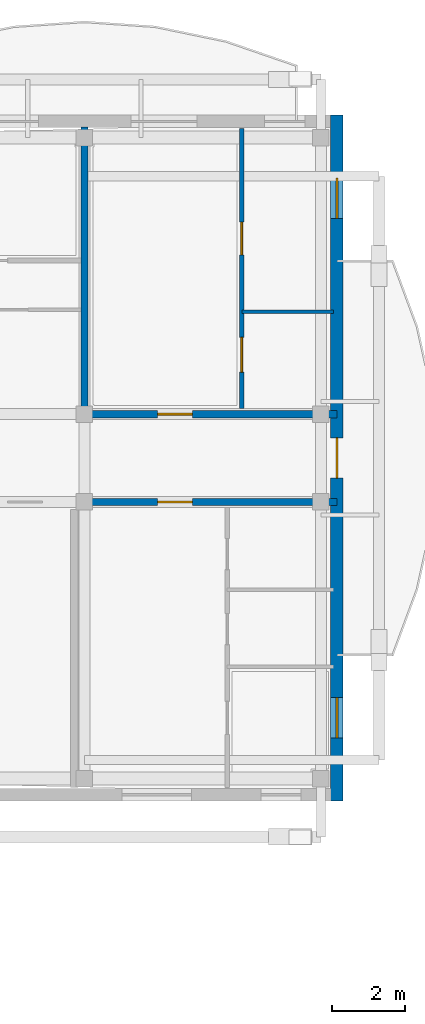
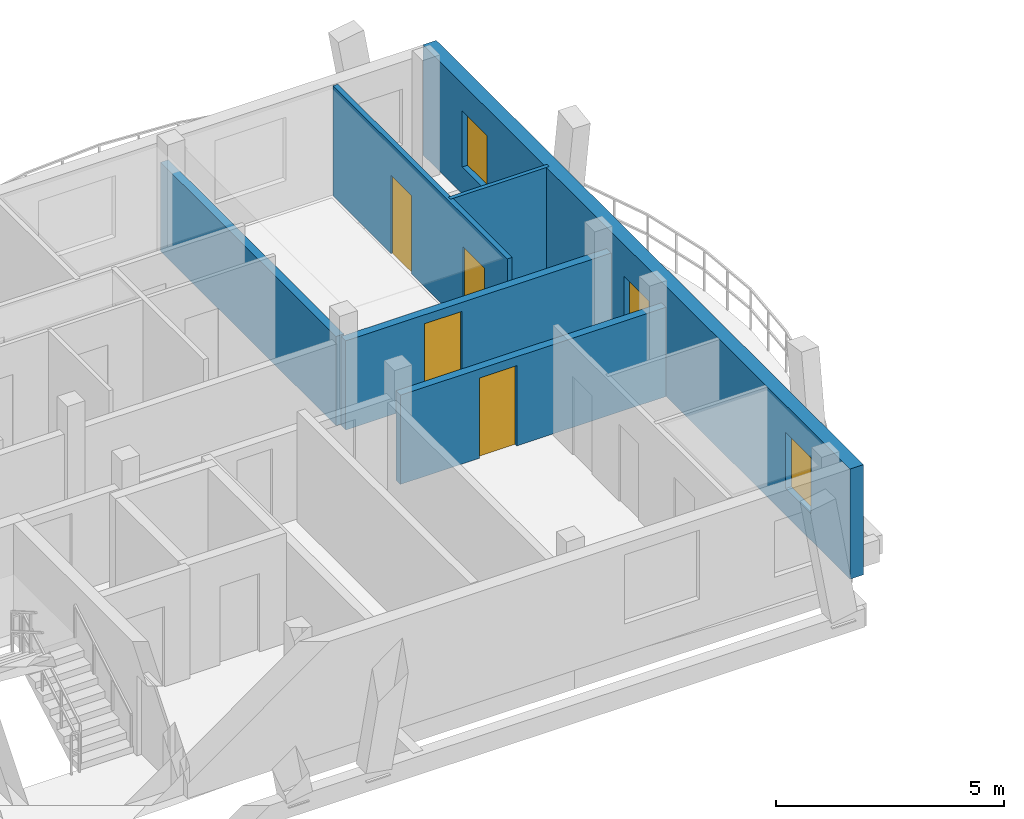
# One storey, part 33 of 44: 6 walls, 5 doors, 2 windows, 7 openings.
"""IFC4 building model written with IfcOpenShell, lengths in metres."""

from ifc_helpers import new_model, si_unit, direction, frame, frame_2d, origin, origin_with_axes, place, context, subcontext, project, spatial, rectangle, extrude, material, layer, layer_set, type_object, element, fill, save


model = new_model("IFC4")

# Units and contexts
model_context = context("Model", 3, precision=1e-05, world=origin(), true_north=direction((0.0, 1.0)))
body_context = subcontext(model_context, "Body", "Model", "MODEL_VIEW")
ifc_project = project(units=[si_unit("LENGTHUNIT", "METRE"), si_unit("AREAUNIT", "SQUARE_METRE"), si_unit("VOLUMEUNIT", "CUBIC_METRE"), si_unit("PLANEANGLEUNIT", "RADIAN"), si_unit("MASSUNIT", "GRAM", prefix="KILO")], contexts=[model_context])

# Site, building, storey
site_placement = place(None, origin())
site = spatial("IfcSite", under=ifc_project, at=site_placement, CompositionType="ELEMENT")
building_placement = place(site_placement, origin())
building = spatial("IfcBuilding", under=site, at=building_placement, Name="Zavelmont Quarter", CompositionType="ELEMENT")
storey_placement = place(building_placement, frame((0.0, 0.0, 20.800048828125)))
storey = spatial("IfcBuildingStorey", under=building, at=storey_placement, Name="L06", CompositionType="ELEMENT", Elevation=20.800048828125)

# Wall, openings, door, windows
ifc_material_1 = material(Name="Natural Belgian limestone", Category="masonry")
ifc_layer_1 = layer(ifc_material_1, 0.340087890625)
ifc_layer_set_1 = layer_set([ifc_layer_1], Name="Natural Belgian limestone")
wall_type_1 = type_object("IfcWallType", Name="EW03", PredefinedType="STANDARD", material=ifc_layer_set_1)
wall_1_placement = place(storey_placement, frame((168.0, 97.429931640625, 0.0), z_axis=(0.0, 0.0, 1.0), x_axis=(0.0, 1.0, 0.0)))
wall_1 = element("IfcWall", 1, at=wall_1_placement, inside=storey, type_object=wall_type_1, Name="L06 exterior limestone wall EW03", PredefinedType="STANDARD", context=body_context, shape_type="SweptSolid", body=[
    extrude(rectangle(XDim=18.739990234375, YDim=0.340087890625, at=frame_2d((9.3701171875, 0.0))), origin(), (0.0, 0.0, 1.0), 2.949951171875),
])
opening_1_placement = place(wall_1_placement, frame((8.820068359375, 0.0, 0.0)))
opening_1 = element("IfcOpeningElement", 2, at=opening_1_placement, cuts=wall_1, Name="Opening DR04B", PredefinedType="OPENING", context=body_context, shape_type="SweptSolid", body=[
    extrude(rectangle(XDim=1.10009765625, YDim=2.10009765625, at=frame_2d((0.550048828125, 1.050048828125))), frame((0.0, 0.18212890625, 0.0), z_axis=(0.0, -1.0, 0.0), x_axis=(1.0, 0.0, 0.0)), (0.0, 0.0, 1.0), 0.364013671875),
])
opening_2_placement = place(wall_1_placement, frame((1.719970703125, 0.0, 0.719970703125)))
opening_2 = element("IfcOpeningElement", 3, at=opening_2_placement, cuts=wall_1, Name="Opening WN09", PredefinedType="OPENING", context=body_context, shape_type="SweptSolid", body=[
    extrude(rectangle(XDim=1.10009765625, YDim=1.5, at=frame_2d((0.550048828125, 0.75))), frame((0.0, 0.18212890625, 0.0), z_axis=(0.0, -1.0, 0.0), x_axis=(1.0, 0.0, 0.0)), (0.0, 0.0, 1.0), 0.364013671875),
])
opening_3_placement = place(wall_1_placement, frame((15.919921875, 0.0, 0.719970703125)))
opening_3 = element("IfcOpeningElement", 4, at=opening_3_placement, cuts=wall_1, Name="Opening WN09", PredefinedType="OPENING", context=body_context, shape_type="SweptSolid", body=[
    extrude(rectangle(XDim=1.10009765625, YDim=1.5, at=frame_2d((0.550048828125, 0.75))), frame((0.0, 0.18212890625, 0.0), z_axis=(0.0, -1.0, 0.0), x_axis=(1.0, 0.0, 0.0)), (0.0, 0.0, 1.0), 0.364013671875),
])
ifc_material_2 = material(Name="Thermally broken aluminium and double safety glass", Category="aluminium")
door_type_1 = type_object("IfcDoorType", Name="DR04B", OperationType="NOTDEFINED", PredefinedType="DOOR", material=ifc_material_2)
door_1_placement = place(opening_1_placement, origin_with_axes())
door_1 = element("IfcDoor", 5, at=door_1_placement, inside=storey, type_object=door_type_1, Name="Block C L06 terrace or vase balcony door", OperationType="SINGLE_SWING_RIGHT", OverallHeight=2.10009765625, OverallWidth=1.10009765625, PredefinedType="DOOR", context=body_context, shape_type="SweptSolid", body=[
    extrude(rectangle(XDim=1.10009765625, YDim=2.10009765625, at=frame_2d((0.550048828125, 1.050048828125))), frame((0.0, 0.02490234375, 0.0), z_axis=(0.0, -1.0, 0.0), x_axis=(1.0, 0.0, 0.0)), (0.0, 0.0, 1.0), 0.050048828125),
])
fill(opening_1, door_1)
ifc_material_3 = material(Name="Double low-E insulated glazing in thermally broken aluminium frame", Category="aluminium")
window_type = type_object("IfcWindowType", Name="WN09", PartitioningType="SINGLE_PANEL", PredefinedType="WINDOW", material=ifc_material_3)
window_1_placement = place(opening_2_placement, origin_with_axes())
window_1 = element("IfcWindow", 6, at=window_1_placement, inside=storey, type_object=window_type, Name="L06 window WN09", OverallHeight=1.5, OverallWidth=1.10009765625, PartitioningType="SINGLE_PANEL", PredefinedType="WINDOW", context=body_context, shape_type="SweptSolid", body=[
    extrude(rectangle(XDim=1.10009765625, YDim=1.5, at=frame_2d((0.550048828125, 0.75))), frame((0.0, 0.030029296875, 0.0), z_axis=(0.0, -1.0, 0.0), x_axis=(1.0, 0.0, 0.0)), (0.0, 0.0, 1.0), 0.06005859375),
])
fill(opening_2, window_1)
window_2_placement = place(opening_3_placement, origin_with_axes())
window_2 = element("IfcWindow", 7, at=window_2_placement, inside=storey, type_object=window_type, Name="L06 window WN09", OverallHeight=1.5, OverallWidth=1.10009765625, PartitioningType="SINGLE_PANEL", PredefinedType="WINDOW", context=body_context, shape_type="SweptSolid", body=[
    extrude(rectangle(XDim=1.10009765625, YDim=1.5, at=frame_2d((0.550048828125, 0.75))), frame((0.0, 0.030029296875, 0.0), z_axis=(0.0, -1.0, 0.0), x_axis=(1.0, 0.0, 0.0)), (0.0, 0.0, 1.0), 0.06005859375),
])
fill(opening_3, window_2)

# Wall
ifc_material_4 = material(Name="Calcium-silicate blockwork and acoustic plaster", Category="masonry")
ifc_layer_2 = layer(ifc_material_4, 0.199951171875)
ifc_layer_set_2 = layer_set([ifc_layer_2], Name="Calcium-silicate blockwork and acoustic plaster")
wall_type_2 = type_object("IfcWallType", Name="IW01", PredefinedType="PARTITIONING", material=ifc_layer_set_2)
wall_2_placement = place(storey_placement, frame((161.10009765625, 108.14990234375, 0.0), z_axis=(0.0, 0.0, 1.0), x_axis=(0.0, 1.0, 0.0)))
element("IfcWall", 8, at=wall_2_placement, inside=storey, type_object=wall_type_2, Name="L06 Inter-dwelling compartment wall IW01", PredefinedType="PARTITIONING", context=body_context, shape_type="SweptSolid", body=[
    extrude(rectangle(XDim=7.7001953125, YDim=0.199951171875, at=frame_2d((3.85009765625, 0.0))), origin(), (0.0, 0.0, 1.0), 2.389892578125),
])

# Wall, opening, door
wall_3_placement = place(storey_placement, frame((161.10009765625, 108.0, 0.0), z_axis=(0.0, 0.0, 1.0), x_axis=(1.0, 0.0, 0.0)))
wall_3 = element("IfcWall", 9, at=wall_3_placement, inside=storey, type_object=wall_type_2, Name="L06 Corridor compartment wall IW01", PredefinedType="PARTITIONING", context=body_context, shape_type="SweptSolid", body=[
    extrude(rectangle(XDim=6.89990234375, YDim=0.199951171875, at=frame_2d((3.449951171875, 0.0))), origin(), (0.0, 0.0, 1.0), 2.389892578125),
])
opening_4_placement = place(wall_3_placement, frame((2.0, 0.0, 0.0)))
opening_4 = element("IfcOpeningElement", 10, at=opening_4_placement, cuts=wall_3, Name="Opening DR02", PredefinedType="OPENING", context=body_context, shape_type="SweptSolid", body=[
    extrude(rectangle(XDim=0.949951171875, YDim=2.14990234375, at=frame_2d((0.47509765625, 1.074951171875))), frame((0.0, 0.11181640625, 0.0), z_axis=(0.0, -1.0, 0.0), x_axis=(1.0, 0.0, 0.0)), (0.0, 0.0, 1.0), 0.223876953125),
])
ifc_material_5 = material(Name="Solid-core oak fire leaf in steel frame", Category="steel")
door_type_2 = type_object("IfcDoorType", Name="DR02", OperationType="NOTDEFINED", PredefinedType="DOOR", material=ifc_material_5)
door_2_placement = place(opening_4_placement, origin_with_axes())
door_2 = element("IfcDoor", 11, at=door_2_placement, inside=storey, type_object=door_type_2, Name="L06 door DR02", OperationType="SINGLE_SWING_LEFT", OverallHeight=2.14990234375, OverallWidth=0.949951171875, PredefinedType="DOOR", context=body_context, shape_type="SweptSolid", body=[
    extrude(rectangle(XDim=0.949951171875, YDim=2.14990234375, at=frame_2d((0.47509765625, 1.074951171875))), frame((0.0, 0.02490234375, 0.0), z_axis=(0.0, -1.0, 0.0), x_axis=(1.0, 0.0, 0.0)), (0.0, 0.0, 1.0), 0.050048828125),
])
fill(opening_4, door_2)

wall_4_placement = place(storey_placement, frame((161.10009765625, 105.60009765625, 0.0), z_axis=(0.0, 0.0, 1.0), x_axis=(1.0, 0.0, 0.0)))
wall_4 = element("IfcWall", 12, at=wall_4_placement, inside=storey, type_object=wall_type_2, Name="L06 Corridor compartment wall IW01", PredefinedType="PARTITIONING", context=body_context, shape_type="SweptSolid", body=[
    extrude(rectangle(XDim=6.89990234375, YDim=0.199951171875, at=frame_2d((3.449951171875, 0.0))), origin(), (0.0, 0.0, 1.0), 2.389892578125),
])
opening_5_placement = place(wall_4_placement, frame((2.0, 0.0, 0.0)))
opening_5 = element("IfcOpeningElement", 13, at=opening_5_placement, cuts=wall_4, Name="Opening DR02", PredefinedType="OPENING", context=body_context, shape_type="SweptSolid", body=[
    extrude(rectangle(XDim=0.949951171875, YDim=2.14990234375, at=frame_2d((0.47509765625, 1.074951171875))), frame((0.0, 0.11181640625, 0.0), z_axis=(0.0, -1.0, 0.0), x_axis=(1.0, 0.0, 0.0)), (0.0, 0.0, 1.0), 0.223876953125),
])
door_3_placement = place(opening_5_placement, frame((0.949951171875, 0.0, 0.0), z_axis=(0.0, 0.0, 1.0), x_axis=(-1.0, 0.0, 0.0)))
door_3 = element("IfcDoor", 14, at=door_3_placement, inside=storey, type_object=door_type_2, Name="L06 door DR02", OperationType="SINGLE_SWING_RIGHT", OverallHeight=2.14990234375, OverallWidth=0.949951171875, PredefinedType="DOOR", context=body_context, shape_type="SweptSolid", body=[
    extrude(rectangle(XDim=0.949951171875, YDim=2.14990234375, at=frame_2d((0.47509765625, 1.074951171875))), frame((0.0, 0.02490234375, 0.0), z_axis=(0.0, -1.0, 0.0), x_axis=(1.0, 0.0, 0.0)), (0.0, 0.0, 1.0), 0.050048828125),
])
fill(opening_5, door_3)

# Wall, openings, doors
ifc_material_6 = material(Name="Double gypsum board on acoustic steel stud", Category="steel")
ifc_layer_3 = layer(ifc_material_6, 0.125)
ifc_layer_set_3 = layer_set([ifc_layer_3], Name="Double gypsum board on acoustic steel stud")
wall_type_3 = type_object("IfcWallType", Name="IW03", PredefinedType="PARTITIONING", material=ifc_layer_set_3)
wall_5_placement = place(storey_placement, frame((165.39990234375, 108.14990234375, 0.0), z_axis=(0.0, 0.0, 1.0), x_axis=(0.0, 1.0, 0.0)))
wall_5 = element("IfcWall", 15, at=wall_5_placement, inside=storey, type_object=wall_type_3, Name="L06 Partition IW03", PredefinedType="PARTITIONING", context=body_context, shape_type="SweptSolid", body=[
    extrude(rectangle(XDim=7.650146484375, YDim=0.125, at=frame_2d((3.8251953125, 0.0))), origin(), (0.0, 0.0, 1.0), 2.949951171875),
])
opening_6_placement = place(wall_5_placement, frame((1.0, 0.0, 0.0)))
opening_6 = element("IfcOpeningElement", 16, at=opening_6_placement, cuts=wall_5, Name="Opening DR17", PredefinedType="OPENING", context=body_context, shape_type="SweptSolid", body=[
    extrude(rectangle(XDim=0.949951171875, YDim=2.10009765625, at=frame_2d((0.47509765625, 1.050048828125))), frame((0.0, 0.074462890625, 0.0), z_axis=(0.0, -1.0, 0.0), x_axis=(1.0, 0.0, 0.0)), (0.0, 0.0, 1.0), 0.14892578125),
])
opening_7_placement = place(wall_5_placement, frame((4.199951171875, 0.0, 0.0)))
opening_7 = element("IfcOpeningElement", 17, at=opening_7_placement, cuts=wall_5, Name="Opening DR05", PredefinedType="OPENING", context=body_context, shape_type="SweptSolid", body=[
    extrude(rectangle(XDim=0.89990234375, YDim=2.10009765625, at=frame_2d((0.449951171875, 1.050048828125))), frame((0.0, 0.074462890625, 0.0), z_axis=(0.0, -1.0, 0.0), x_axis=(1.0, 0.0, 0.0)), (0.0, 0.0, 1.0), 0.14892578125),
])
ifc_material_7 = material(Name="Engineered oak flush interior door")
door_type_3 = type_object("IfcDoorType", Name="DR05", OperationType="NOTDEFINED", PredefinedType="DOOR", material=ifc_material_7)
door_4_placement = place(opening_7_placement, origin_with_axes())
door_4 = element("IfcDoor", 18, at=door_4_placement, inside=storey, type_object=door_type_3, Name="L06 door DR05", OperationType="SINGLE_SWING_RIGHT", OverallHeight=2.10009765625, OverallWidth=0.89990234375, PredefinedType="DOOR", context=body_context, shape_type="SweptSolid", body=[
    extrude(rectangle(XDim=0.89990234375, YDim=2.10009765625, at=frame_2d((0.449951171875, 1.050048828125))), frame((0.0, 0.02490234375, 0.0), z_axis=(0.0, -1.0, 0.0), x_axis=(1.0, 0.0, 0.0)), (0.0, 0.0, 1.0), 0.050048828125),
])
fill(opening_7, door_4)
ifc_material_8 = material(Name="Accessible washroom flush door")
door_type_4 = type_object("IfcDoorType", Name="DR17", OperationType="NOTDEFINED", PredefinedType="DOOR", material=ifc_material_8)
door_5_placement = place(opening_6_placement, frame((0.949951171875, 0.0, 0.0), z_axis=(0.0, 0.0, 1.0), x_axis=(-1.0, 0.0, 0.0)))
door_5 = element("IfcDoor", 19, at=door_5_placement, inside=storey, type_object=door_type_4, Name="L06 door DR17", OperationType="SINGLE_SWING_LEFT", OverallHeight=2.10009765625, OverallWidth=0.949951171875, PredefinedType="DOOR", context=body_context, shape_type="SweptSolid", body=[
    extrude(rectangle(XDim=0.949951171875, YDim=2.10009765625, at=frame_2d((0.47509765625, 1.050048828125))), frame((0.0, 0.02490234375, 0.0), z_axis=(0.0, -1.0, 0.0), x_axis=(1.0, 0.0, 0.0)), (0.0, 0.0, 1.0), 0.050048828125),
])
fill(opening_6, door_5)

# Wall
ifc_material_9 = material(Name="Moisture-resistant gypsum board on steel stud", Category="steel")
ifc_layer_4 = layer(ifc_material_9, 0.10009765625)
ifc_layer_set_4 = layer_set([ifc_layer_4], Name="Moisture-resistant gypsum board on steel stud")
wall_type_4 = type_object("IfcWallType", Name="IW04", PredefinedType="PARTITIONING", material=ifc_layer_set_4)
wall_6_placement = place(storey_placement, frame((165.39990234375, 110.800048828125, 0.0), z_axis=(0.0, 0.0, 1.0), x_axis=(1.0, 0.0, 0.0)))
element("IfcWall", 20, at=wall_6_placement, inside=storey, type_object=wall_type_4, Name="L06 Partition IW04", PredefinedType="PARTITIONING", context=body_context, shape_type="SweptSolid", body=[
    extrude(rectangle(XDim=2.5, YDim=0.10009765625, at=frame_2d((1.25, 0.0))), origin(), (0.0, 0.0, 1.0), 2.949951171875),
])

save(model, "model.ifc")
